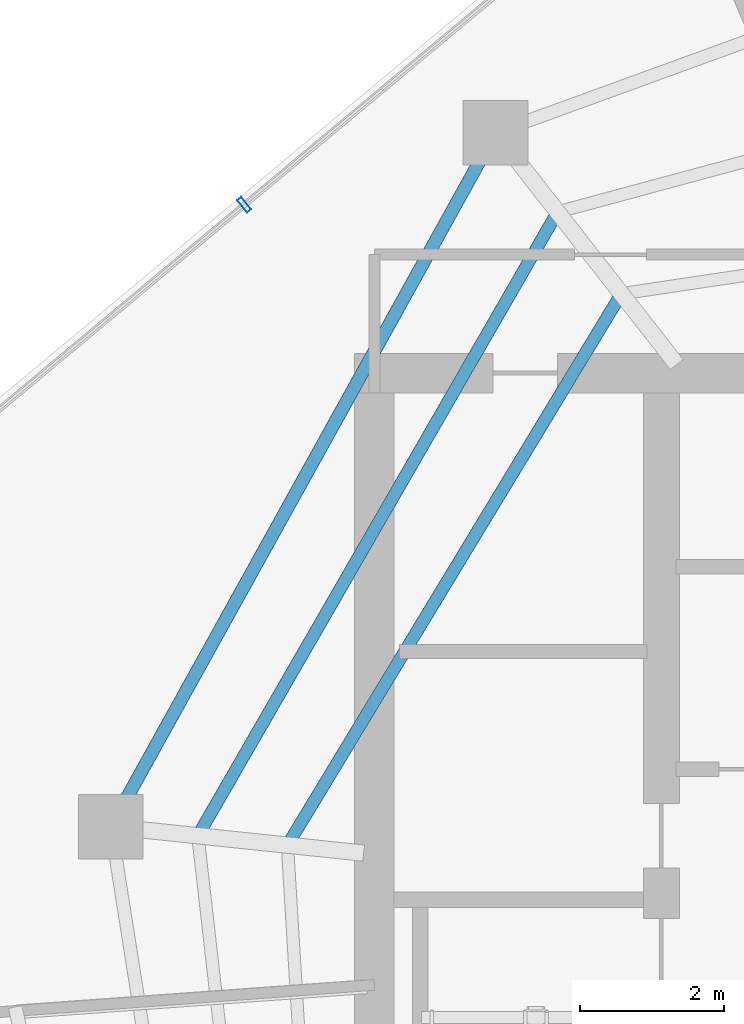
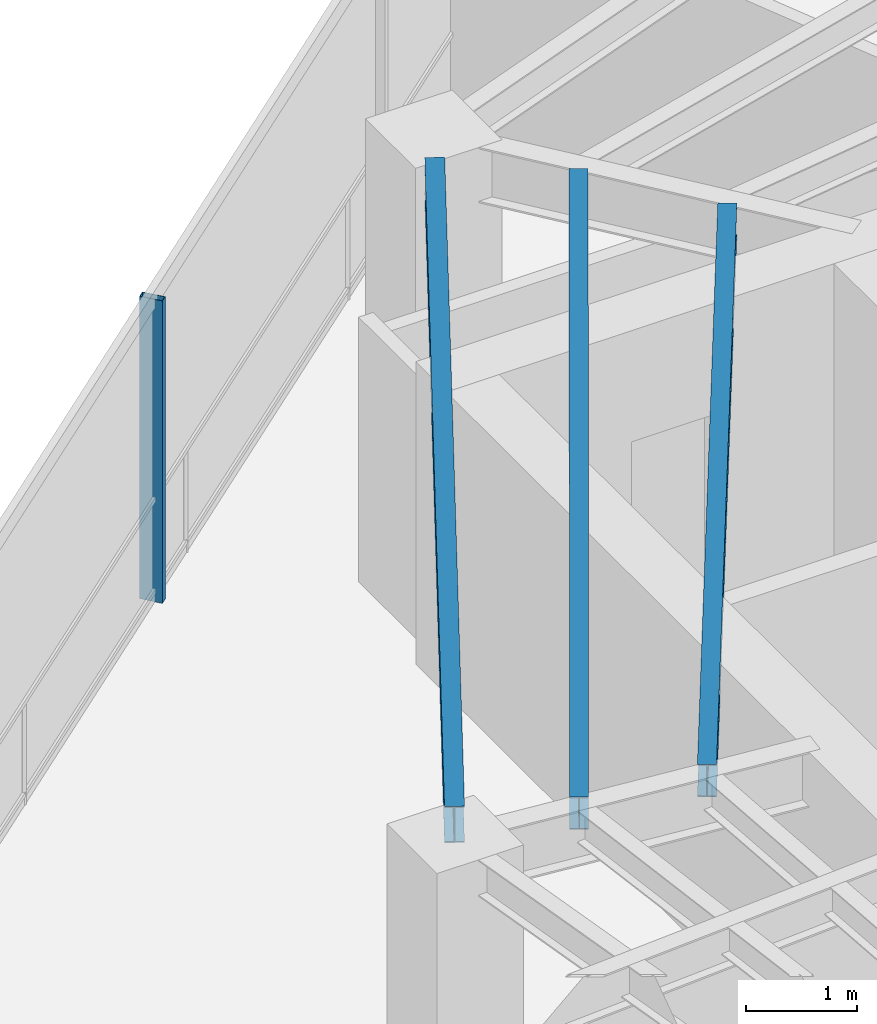
# One storey, part 7 of 18: 3 beams, 1 member, 1 element without a shape of its own.
"""IFC4 building model written with IfcOpenShell, lengths in metres."""

from ifc_helpers import new_model, si_unit, direction, frame, origin, origin_2d, place, context, subcontext, project, spatial, hollow_rectangle, i_section, extrude, material, layer, layer_set, material_profile, profile_set, type_object, element, aggregate, save


model = new_model("IFC4")

# Units and contexts
model_context = context("Model", 3, precision=1e-05, world=origin(), true_north=direction((0.0, 1.0)))
body_context = subcontext(model_context, "Body", "Model", "MODEL_VIEW")
ifc_project = project(units=[si_unit("LENGTHUNIT", "METRE"), si_unit("AREAUNIT", "SQUARE_METRE"), si_unit("VOLUMEUNIT", "CUBIC_METRE"), si_unit("PLANEANGLEUNIT", "RADIAN"), si_unit("MASSUNIT", "GRAM", prefix="KILO")], contexts=[model_context])

# Site, building, storey
site_placement = place(None, origin())
site = spatial("IfcSite", under=ifc_project, at=site_placement, CompositionType="ELEMENT")
building_placement = place(site_placement, origin())
building = spatial("IfcBuilding", under=site, at=building_placement, Name="Qarnah Convention Tower", CompositionType="ELEMENT")
storey_placement = place(building_placement, frame((0.0, 0.0, 216.60009765625)))
storey = spatial("IfcBuildingStorey", under=building, at=storey_placement, Name="L58", CompositionType="ELEMENT", Elevation=216.60009765625)

# Beams
ifc_material_1 = material(Name="Structural steel S355JR", Category="steel")
ifc_material_profile_1 = material_profile(ifc_material_1, i_section(OverallWidth=0.172119140625, OverallDepth=0.35595703125, WebThickness=0.007080078125, FlangeThickness=0.011962890625, at=origin_2d()), Name="W360X51")
ifc_profile_set_1 = profile_set([ifc_material_profile_1], Name="Structural steel S355JR")
beam_type_1 = type_object("IfcBeamType", Name="BM-JST-W360", PredefinedType="JOIST", material=ifc_profile_set_1)
beam_1_placement = place(storey_placement, frame((29.306884765625, 36.365966796875, 3.141845703125), z_axis=(-0.499518662922, -0.866303125582, 0.0), x_axis=(0.866303125582, -0.499518662922, 0.0)))
element("IfcBeam", 1, at=beam_1_placement, inside=storey, type_object=beam_type_1, Name="L58 joist BM-L58-SJST-04", PredefinedType="JOIST", context=body_context, shape_type="SweptSolid", body=[
    extrude(i_section(OverallWidth=0.172119140625, OverallDepth=0.35595703125, WebThickness=0.007080078125, FlangeThickness=0.011962890625, at=origin_2d()), origin(), (0.0, 0.0, 1.0), 9.853271484375),
])
beam_2_placement = place(storey_placement, frame((30.195068359375, 35.22802734375, 3.141845703125), z_axis=(-0.517953819746, -0.855408581095, 0.0), x_axis=(0.855408581095, -0.517953819746, 0.0)))
element("IfcBeam", 2, at=beam_2_placement, inside=storey, type_object=beam_type_1, Name="L58 joist BM-L58-IJST-04", PredefinedType="JOIST", context=body_context, shape_type="SweptSolid", body=[
    extrude(i_section(OverallWidth=0.172119140625, OverallDepth=0.35595703125, WebThickness=0.007080078125, FlangeThickness=0.011962890625, at=origin_2d()), origin(), (0.0, 0.0, 1.0), 8.803955078125),
])
ifc_material_profile_2 = material_profile(ifc_material_1, i_section(OverallWidth=0.179931640625, OverallDepth=0.39990234375, WebThickness=0.009033203125, FlangeThickness=0.013916015625, at=origin_2d()), Name="IPE400")
ifc_profile_set_2 = profile_set([ifc_material_profile_2], Name="Structural steel S355JR")
beam_type_2 = type_object("IfcBeamType", Name="BM-SPN-IPE400", PredefinedType="SPANDREL", material=ifc_profile_set_2)
beam_3_placement = place(storey_placement, frame((28.27490234375, 37.1650390625, 3.119873046875), z_axis=(-0.48479945923, -0.874625339406, 0.0), x_axis=(0.874625339406, -0.48479945923, 0.0)))
element("IfcBeam", 3, at=beam_3_placement, inside=storey, type_object=beam_type_2, Name="L58 spandrel BM-L58-SPN-04", PredefinedType="SPANDREL", context=body_context, shape_type="SweptSolid", body=[
    extrude(i_section(OverallWidth=0.179931640625, OverallDepth=0.39990234375, WebThickness=0.009033203125, FlangeThickness=0.013916015625, at=origin_2d()), origin(), (0.0, 0.0, 1.0), 10.177001953125),
])

# Curtain wall, member
ifc_material_2 = material(Name="Tempered Low-E dark glass", Category="glass")
ifc_layer = layer(ifc_material_2, 0.174072265625)
ifc_layer_set = layer_set([ifc_layer], Name="Tempered Low-E dark glass")
curtain_wall_type = type_object("IfcCurtainWallType", Name="CWS-04", PredefinedType="NOTDEFINED", material=ifc_layer_set)
curtain_wall_placement = place(storey_placement, origin())
curtain_wall = element("IfcCurtainWall", 4, at=curtain_wall_placement, inside=storey, type_object=curtain_wall_type, Name="L58 unitised curtain wall CW-L58-F2", PredefinedType="NOTDEFINED")
ifc_material_3 = material(Name="Black anodised aluminium", Category="aluminium")
ifc_material_profile_3 = material_profile(ifc_material_3, hollow_rectangle(XDim=0.074951171875, YDim=0.219970703125, WallThickness=0.0048828125, at=origin_2d()), Name="MUL-75X220")
ifc_profile_set_3 = profile_set([ifc_material_profile_3], Name="Black anodised aluminium")
member_type = type_object("IfcMemberType", Name="MUL-T4", PredefinedType="MULLION", material=ifc_profile_set_3)
member_placement = place(storey_placement, frame((24.98583984375, 36.545166015625, 0.0), z_axis=(0.0, 0.0, 1.0), x_axis=(0.767845724815, 0.64063479681, 0.0)))
member = element("IfcMember", 5, at=member_placement, type_object=member_type, Name="CW-L58-F2 mullion 3", PredefinedType="MULLION", context=body_context, shape_type="SweptSolid", body=[
    extrude(hollow_rectangle(XDim=0.074951171875, YDim=0.219970703125, WallThickness=0.0048828125, at=origin_2d()), origin(), (0.0, 0.0, 1.0), 3.31982421875),
])
aggregate(curtain_wall, [member])

save(model, "model.ifc")
